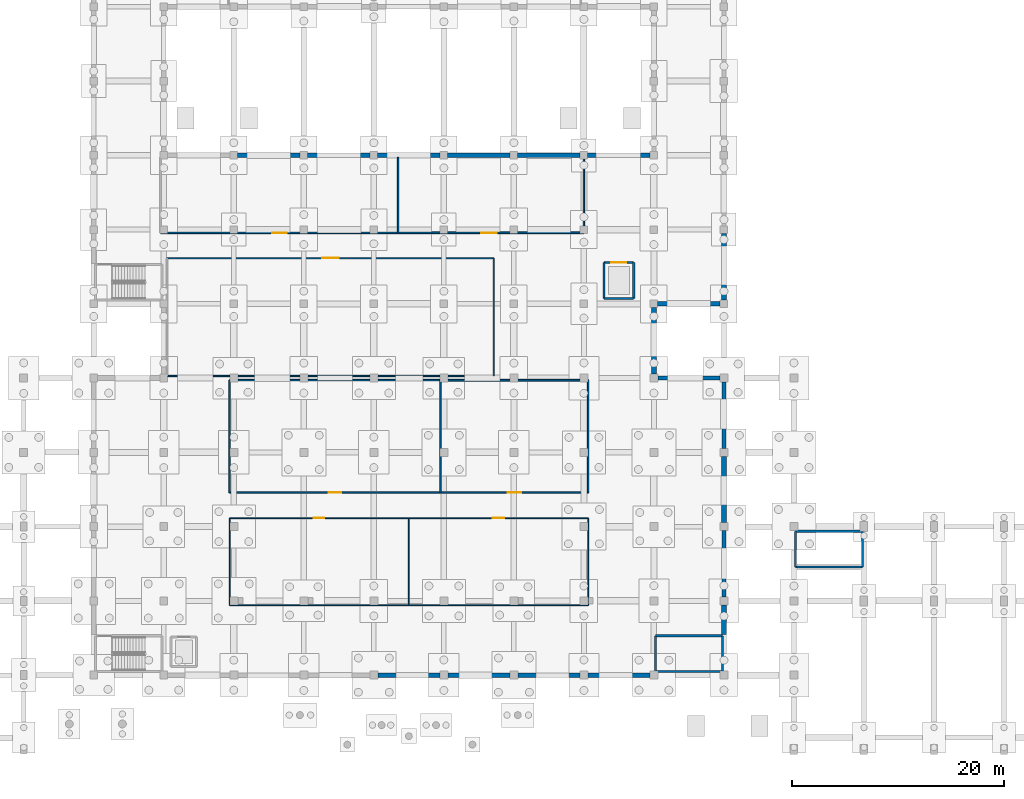
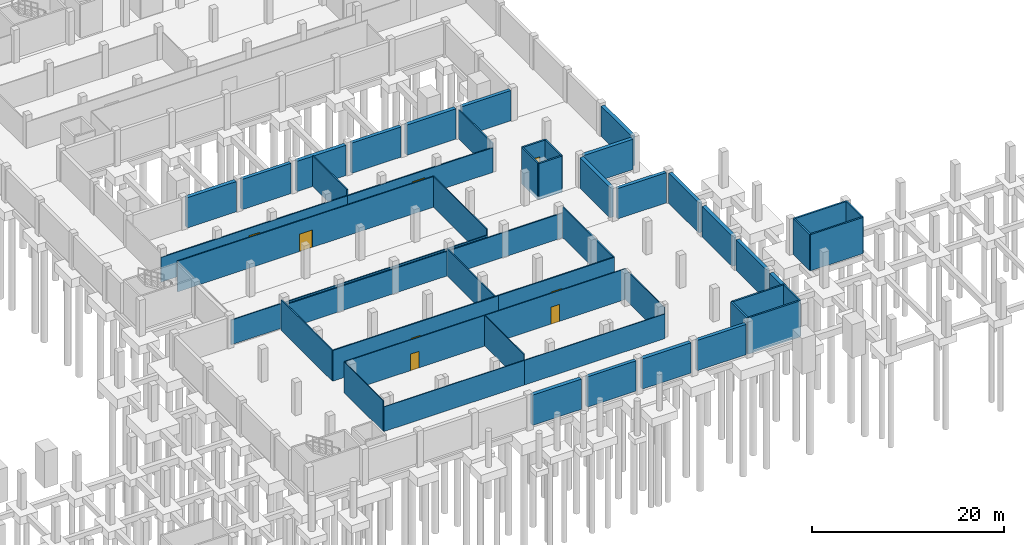
# One storey, part 17 of 27: 51 walls, 8 doors, 8 openings.
"""IFC4 building model written with IfcOpenShell, lengths in metres."""

from ifc_helpers import new_model, si_unit, direction, frame, frame_2d, origin, place, context, subcontext, project, spatial, rectangle, extrude, material, layer, layer_set, type_object, element, fill, save


model = new_model("IFC4")

# Units and contexts
model_context = context("Model", 3, precision=1e-05, world=origin(), true_north=direction((0.0, 1.0)))
body_context = subcontext(model_context, "Body", "Model", "MODEL_VIEW")
ifc_project = project(units=[si_unit("LENGTHUNIT", "METRE"), si_unit("AREAUNIT", "SQUARE_METRE"), si_unit("VOLUMEUNIT", "CUBIC_METRE"), si_unit("PLANEANGLEUNIT", "RADIAN"), si_unit("MASSUNIT", "GRAM", prefix="KILO")], contexts=[model_context])

# Site, building, storey
site_placement = place(None, origin())
site = spatial("IfcSite", under=ifc_project, at=site_placement, CompositionType="ELEMENT")
building_placement = place(site_placement, origin())
building = spatial("IfcBuilding", under=site, at=building_placement, Name="Ciguamira Faculty of Natural Sciences", CompositionType="ELEMENT")
storey_placement = place(building_placement, frame((0.0, 0.0, -4.199951171875)))
storey = spatial("IfcBuildingStorey", under=building, at=storey_placement, Name="B1", CompositionType="ELEMENT", Elevation=-4.199951171875)

# Walls
ifc_material_1 = material(Name="Concrete C40/50", Category="concrete")
ifc_layer_1 = layer(ifc_material_1, 0.449951171875, Name="Concrete C40/50")
ifc_layer_set_1 = layer_set([ifc_layer_1], Name="Concrete C40/50")
wall_type_1 = type_object("IfcWallType", Name="ExtWall_RW-01_450", PredefinedType="SHEAR", material=ifc_layer_set_1)
for number, where, z_axis, x_axis, name in (
    (1, (84.074951171875, 10.0, 0.0), (0.0, 0.0, 1.0), (1.0, 0.0, 0.0), "B1 exterior wall 0004"),
    (2, (97.27490234375, 10.0, 0.0), (0.0, 0.0, 1.0), (1.0, 0.0, 0.0), "B1 exterior wall 0006"),
):
    element("IfcWall", number, at=place(storey_placement, frame(where, z_axis=z_axis, x_axis=x_axis)), inside=storey, type_object=wall_type_1, Name=name, PredefinedType="SHEAR", context=body_context, shape_type="SweptSolid", body=[
        extrude(rectangle(XDim=5.85009765625, YDim=0.449951171875, at=frame_2d((2.925048828125, 0.0))), origin(), (0.0, 0.0, 1.0), 3.849853515625),
    ])
wall_1_placement = place(storey_placement, frame((110.449951171875, 45.0, 0.0), z_axis=(0.0, 0.0, 1.0), x_axis=(1.0, 0.0, 0.0)))
element("IfcWall", 3, at=wall_1_placement, inside=storey, type_object=wall_type_1, Name="B1 exterior wall 0010", PredefinedType="SHEAR", context=body_context, shape_type="SweptSolid", body=[
    extrude(rectangle(XDim=5.900146484375, YDim=0.449951171875, at=frame_2d((2.9501953125, 0.0))), origin(), (0.0, 0.0, 1.0), 3.849853515625),
])
for number, where, z_axis, x_axis, name in (
    (4, (70.85009765625, 59.0, 0.0), (0.0, 0.0, 1.0), (1.0, 0.0, 0.0), "B1 exterior wall 0012"),
    (5, (84.050048828125, 59.0, 0.0), (0.0, 0.0, 1.0), (1.0, 0.0, 0.0), "B1 exterior wall 0014"),
    (6, (97.25, 59.0, 0.0), (0.0, 0.0, 1.0), (1.0, 0.0, 0.0), "B1 exterior wall 0016"),
):
    element("IfcWall", number, at=place(storey_placement, frame(where, z_axis=z_axis, x_axis=x_axis)), inside=storey, type_object=wall_type_1, Name=name, PredefinedType="SHEAR", context=body_context, shape_type="SweptSolid", body=[
        extrude(rectangle(XDim=5.89990234375, YDim=0.449951171875, at=frame_2d((2.949951171875, 0.0))), origin(), (0.0, 0.0, 1.0), 3.849853515625),
    ])
wall_2_placement = place(storey_placement, frame((110.10009765625, 38.375, 0.0), z_axis=(0.0, 0.0, 1.0), x_axis=(0.0, 1.0, 0.0)))
element("IfcWall", 7, at=wall_2_placement, inside=storey, type_object=wall_type_1, Name="B1 exterior wall 0050", PredefinedType="SHEAR", context=body_context, shape_type="SweptSolid", body=[
    extrude(rectangle(XDim=6.27490234375, YDim=0.449951171875, at=frame_2d((3.137451171875, 0.0))), origin(), (0.0, 0.0, 1.0), 3.849853515625),
])
wall_3_placement = place(storey_placement, frame((116.699951171875, 13.81005859375, 0.0), z_axis=(0.0, 0.0, 1.0), x_axis=(0.0, 1.0, 0.0)))
element("IfcWall", 8, at=wall_3_placement, inside=storey, type_object=wall_type_1, Name="B1 exterior wall 0056", PredefinedType="SHEAR", context=body_context, shape_type="SweptSolid", body=[
    extrude(rectangle(XDim=2.81494140625, YDim=0.449951171875, at=frame_2d((1.407470703125, 0.0))), origin(), (0.0, 0.0, 1.0), 3.849853515625),
])
wall_4_placement = place(storey_placement, frame((116.699951171875, 24.375, 0.0), z_axis=(0.0, 0.0, 1.0), x_axis=(0.0, 1.0, 0.0)))
element("IfcWall", 9, at=wall_4_placement, inside=storey, type_object=wall_type_1, Name="B1 exterior wall 0058", PredefinedType="SHEAR", context=body_context, shape_type="SweptSolid", body=[
    extrude(rectangle(XDim=6.25, YDim=0.449951171875, at=frame_2d((3.125, 0.0))), origin(), (0.0, 0.0, 1.0), 3.849853515625),
])
wall_5_placement = place(storey_placement, frame((116.699951171875, 45.35009765625, 0.0), z_axis=(0.0, 0.0, 1.0), x_axis=(0.0, 1.0, 0.0)))
element("IfcWall", 10, at=wall_5_placement, inside=storey, type_object=wall_type_1, Name="B1 exterior wall 0060", PredefinedType="SHEAR", context=body_context, shape_type="SweptSolid", body=[
    extrude(rectangle(XDim=6.2998046875, YDim=0.449951171875, at=frame_2d((3.14990234375, 0.0))), origin(), (0.0, 0.0, 1.0), 3.849853515625),
])
ifc_layer_2 = layer(ifc_material_1, 0.39990234375, Name="Concrete C40/50")
ifc_layer_set_2 = layer_set([ifc_layer_2], Name="Concrete C40/50")
wall_type_2 = type_object("IfcWallType", Name="ExtWall_RW-02_400", PredefinedType="SHEAR", material=ifc_layer_set_2)
wall_6_placement = place(storey_placement, frame((90.675048828125, 10.0, 0.0), z_axis=(0.0, 0.0, 1.0), x_axis=(1.0, 0.0, 0.0)))
element("IfcWall", 11, at=wall_6_placement, inside=storey, type_object=wall_type_2, Name="B1 exterior wall 0005", PredefinedType="SHEAR", context=body_context, shape_type="SweptSolid", body=[
    extrude(rectangle(XDim=5.849853515625, YDim=0.39990234375, at=frame_2d((2.9248046875, 0.0))), origin(), (0.0, 0.0, 1.0), 3.849853515625),
])
wall_7_placement = place(storey_placement, frame((103.875, 10.0, 0.0), z_axis=(0.0, 0.0, 1.0), x_axis=(1.0, 0.0, 0.0)))
element("IfcWall", 12, at=wall_7_placement, inside=storey, type_object=wall_type_2, Name="B1 exterior wall 0007", PredefinedType="SHEAR", context=body_context, shape_type="SweptSolid", body=[
    extrude(rectangle(XDim=5.85009765625, YDim=0.39990234375, at=frame_2d((2.925048828125, 0.0))), origin(), (0.0, 0.0, 1.0), 3.849853515625),
])
wall_8_placement = place(storey_placement, frame((110.47509765625, 38.0, 0.0), z_axis=(0.0, 0.0, 1.0), x_axis=(1.0, 0.0, 0.0)))
element("IfcWall", 13, at=wall_8_placement, inside=storey, type_object=wall_type_2, Name="B1 exterior wall 0009", PredefinedType="SHEAR", context=body_context, shape_type="SweptSolid", body=[
    extrude(rectangle(XDim=5.849853515625, YDim=0.39990234375, at=frame_2d((2.9248046875, 0.0))), origin(), (0.0, 0.0, 1.0), 3.849853515625),
])
for number, where, z_axis, x_axis, name in (
    (14, (77.449951171875, 59.0, 0.0), (0.0, 0.0, 1.0), (1.0, 0.0, 0.0), "B1 exterior wall 0013"),
    (15, (90.64990234375, 59.0, 0.0), (0.0, 0.0, 1.0), (1.0, 0.0, 0.0), "B1 exterior wall 0015"),
):
    element("IfcWall", number, at=place(storey_placement, frame(where, z_axis=z_axis, x_axis=x_axis)), inside=storey, type_object=wall_type_2, Name=name, PredefinedType="SHEAR", context=body_context, shape_type="SweptSolid", body=[
        extrude(rectangle(XDim=5.900146484375, YDim=0.39990234375, at=frame_2d((2.9501953125, 0.0))), origin(), (0.0, 0.0, 1.0), 3.849853515625),
    ])
wall_9_placement = place(storey_placement, frame((103.85009765625, 59.0, 0.0), z_axis=(0.0, 0.0, 1.0), x_axis=(1.0, 0.0, 0.0)))
element("IfcWall", 16, at=wall_9_placement, inside=storey, type_object=wall_type_2, Name="B1 exterior wall 0017", PredefinedType="SHEAR", context=body_context, shape_type="SweptSolid", body=[
    extrude(rectangle(XDim=5.89990234375, YDim=0.39990234375, at=frame_2d((2.949951171875, 0.0))), origin(), (0.0, 0.0, 1.0), 3.849853515625),
])
for number, where, z_axis, x_axis, name in (
    (17, (116.699951171875, 17.375, 0.0), (0.0, 0.0, 1.0), (0.0, 1.0, 0.0), "B1 exterior wall 0057"),
    (18, (116.699951171875, 31.375, 0.0), (0.0, 0.0, 1.0), (0.0, 1.0, 0.0), "B1 exterior wall 0059"),
):
    element("IfcWall", number, at=place(storey_placement, frame(where, z_axis=z_axis, x_axis=x_axis)), inside=storey, type_object=wall_type_2, Name=name, PredefinedType="SHEAR", context=body_context, shape_type="SweptSolid", body=[
        extrude(rectangle(XDim=6.25, YDim=0.39990234375, at=frame_2d((3.125, 0.0))), origin(), (0.0, 0.0, 1.0), 3.849853515625),
    ])
ifc_layer_3 = layer(ifc_material_1, 0.199951171875, Name="Concrete C40/50")
ifc_layer_set_3 = layer_set([ifc_layer_3], Name="Concrete C40/50")
wall_type_3 = type_object("IfcWallType", Name="IntWall_CW-S20_200", PredefinedType="SHEAR", material=ifc_layer_set_3)
for number, where, z_axis, x_axis, name in (
    (19, (110.25, 10.35009765625, -0.400146484375), (0.0, 0.0, 1.0), (1.0, 0.0, 0.0), "B1 ST-A2 core shear wall south"),
    (20, (110.25, 13.7099609375, -0.400146484375), (0.0, 0.0, 1.0), (1.0, 0.0, 0.0), "B1 ST-A2 core shear wall north"),
):
    element("IfcWall", number, at=place(storey_placement, frame(where, z_axis=z_axis, x_axis=x_axis)), inside=storey, type_object=wall_type_3, Name=name, PredefinedType="SHEAR", context=body_context, shape_type="SweptSolid", body=[
        extrude(rectangle(XDim=6.300048828125, YDim=0.199951171875, at=frame_2d((3.14990234375, 0.0))), origin(), (0.0, 0.0, 1.0), 4.60009765625),
    ])
for number, where, z_axis, x_axis, name in (
    (21, (110.25, 10.35009765625, -0.400146484375), (0.0, 0.0, 1.0), (0.0, 1.0, 0.0), "B1 ST-A2 core shear wall west"),
    (22, (116.550048828125, 10.35009765625, -0.400146484375), (0.0, 0.0, 1.0), (0.0, 1.0, 0.0), "B1 ST-A2 core shear wall east"),
):
    element("IfcWall", number, at=place(storey_placement, frame(where, z_axis=z_axis, x_axis=x_axis)), inside=storey, type_object=wall_type_3, Name=name, PredefinedType="SHEAR", context=body_context, shape_type="SweptSolid", body=[
        extrude(rectangle(XDim=3.35986328125, YDim=0.199951171875, at=frame_2d((1.679931640625, 0.0))), origin(), (0.0, 0.0, 1.0), 4.60009765625),
    ])
for number, where, z_axis, x_axis, name in (
    (23, (123.449951171875, 20.199951171875, -0.400146484375), (0.0, 0.0, 1.0), (1.0, 0.0, 0.0), "B1 ST-L1 core shear wall south"),
    (24, (123.449951171875, 23.56005859375, -0.400146484375), (0.0, 0.0, 1.0), (1.0, 0.0, 0.0), "B1 ST-L1 core shear wall north"),
):
    element("IfcWall", number, at=place(storey_placement, frame(where, z_axis=z_axis, x_axis=x_axis)), inside=storey, type_object=wall_type_3, Name=name, PredefinedType="SHEAR", context=body_context, shape_type="SweptSolid", body=[
        extrude(rectangle(XDim=6.300048828125, YDim=0.199951171875, at=frame_2d((3.14990234375, 0.0))), origin(), (0.0, 0.0, 1.0), 4.60009765625),
    ])
for number, where, z_axis, x_axis, name in (
    (25, (123.449951171875, 20.199951171875, -0.400146484375), (0.0, 0.0, 1.0), (0.0, 1.0, 0.0), "B1 ST-L1 core shear wall west"),
    (26, (129.75, 20.199951171875, -0.400146484375), (0.0, 0.0, 1.0), (0.0, 1.0, 0.0), "B1 ST-L1 core shear wall east"),
):
    element("IfcWall", number, at=place(storey_placement, frame(where, z_axis=z_axis, x_axis=x_axis)), inside=storey, type_object=wall_type_3, Name=name, PredefinedType="SHEAR", context=body_context, shape_type="SweptSolid", body=[
        extrude(rectangle(XDim=3.360107421875, YDim=0.199951171875, at=frame_2d((1.68017578125, 0.0))), origin(), (0.0, 0.0, 1.0), 4.60009765625),
    ])
wall_10_placement = place(storey_placement, frame((105.39990234375, 45.5, -0.400146484375), z_axis=(0.0, 0.0, 1.0), x_axis=(1.0, 0.0, 0.0)))
element("IfcWall", 27, at=wall_10_placement, inside=storey, type_object=wall_type_3, Name="B1 EL-G1 hoistway wall south", PredefinedType="SHEAR", context=body_context, shape_type="SweptSolid", body=[
    extrude(rectangle(XDim=2.800048828125, YDim=0.199951171875, at=frame_2d((1.39990234375, 0.0))), origin(), (0.0, 0.0, 1.0), 4.60009765625),
])

# Wall, opening, door
wall_11_placement = place(storey_placement, frame((105.39990234375, 48.89990234375, -0.400146484375), z_axis=(0.0, 0.0, 1.0), x_axis=(1.0, 0.0, 0.0)))
wall_11 = element("IfcWall", 28, at=wall_11_placement, inside=storey, type_object=wall_type_3, Name="B1 EL-G1 hoistway wall north", PredefinedType="SHEAR", context=body_context, shape_type="SweptSolid", body=[
    extrude(rectangle(XDim=2.800048828125, YDim=0.199951171875, at=frame_2d((1.39990234375, 0.0))), origin(), (0.0, 0.0, 1.0), 4.60009765625),
])
opening_1_placement = place(wall_11_placement, frame((0.699951171875, 0.0, 0.39990234375)))
opening_1 = element("IfcOpeningElement", 29, at=opening_1_placement, cuts=wall_11, Name="Opening LD-04", PredefinedType="OPENING", context=body_context, shape_type="SweptSolid", body=[
    extrude(rectangle(XDim=1.39990234375, YDim=2.300048828125, at=frame_2d((0.699951171875, 1.14990234375))), frame((0.0, 0.10986328125, 0.0), z_axis=(0.0, -1.0, 0.0), x_axis=(1.0, 0.0, 0.0)), (0.0, 0.0, 1.0), 0.219970703125),
])
ifc_material_2 = material(Name="Specimen service lift sliding landing door")
door_type_1 = type_object("IfcDoorType", Name="LiftLandingDoor_LD-04_1400x2300", OperationType="SLIDING_TO_LEFT", PredefinedType="DOOR", material=ifc_material_2)
door_1_placement = place(opening_1_placement, origin())
door_1 = element("IfcDoor", 30, at=door_1_placement, inside=storey, type_object=door_type_1, Name="B1 EL-G1 elevator landing sliding door", OperationType="SLIDING_TO_LEFT", OverallHeight=2.300048828125, OverallWidth=1.39990234375, PredefinedType="DOOR", context=body_context, shape_type="SweptSolid", body=[
    extrude(rectangle(XDim=1.39990234375, YDim=2.300048828125, at=frame_2d((0.699951171875, 1.14990234375))), frame((0.0, 0.02490234375, 0.0), z_axis=(0.0, -1.0, 0.0), x_axis=(1.0, 0.0, 0.0)), (0.0, 0.0, 1.0), 0.050048828125),
])
fill(opening_1, door_1)

# Walls
for number, where, z_axis, x_axis, name in (
    (31, (105.39990234375, 45.5, -0.400146484375), (0.0, 0.0, 1.0), (0.0, 1.0, 0.0), "B1 EL-G1 hoistway wall west"),
    (32, (108.199951171875, 45.5, -0.400146484375), (0.0, 0.0, 1.0), (0.0, 1.0, 0.0), "B1 EL-G1 hoistway wall east"),
):
    element("IfcWall", number, at=place(storey_placement, frame(where, z_axis=z_axis, x_axis=x_axis)), inside=storey, type_object=wall_type_3, Name=name, PredefinedType="SHEAR", context=body_context, shape_type="SweptSolid", body=[
        extrude(rectangle(XDim=3.39990234375, YDim=0.199951171875, at=frame_2d((1.699951171875, 0.0))), origin(), (0.0, 0.0, 1.0), 4.60009765625),
    ])
ifc_material_3 = material(Name="Fire-rated gypsum partition")
ifc_layer_4 = layer(ifc_material_3, 0.10009765625, Name="Fire-rated gypsum partition")
ifc_layer_set_4 = layer_set([ifc_layer_4], Name="Fire-rated gypsum partition")
wall_type_4 = type_object("IfcWallType", Name="IntWall_IW-A10_100", PredefinedType="PARTITIONING", material=ifc_layer_set_4)
wall_12_placement = place(storey_placement, frame((70.10009765625, 16.60009765625, 0.0), z_axis=(0.0, 0.0, 1.0), x_axis=(1.0, 0.0, 0.0)))
element("IfcWall", 33, at=wall_12_placement, inside=storey, type_object=wall_type_4, Name="B1 Paleontology Specimen Archive partition south", PredefinedType="PARTITIONING", context=body_context, shape_type="SweptSolid", body=[
    extrude(rectangle(XDim=16.89990234375, YDim=0.10009765625, at=frame_2d((8.449951171875, 0.0))), origin(), (0.0, 0.0, 1.0), 3.135009765625),
])

# Wall, opening, door
wall_13_placement = place(storey_placement, frame((70.10009765625, 24.800048828125, 0.0), z_axis=(0.0, 0.0, 1.0), x_axis=(1.0, 0.0, 0.0)))
wall_13 = element("IfcWall", 34, at=wall_13_placement, inside=storey, type_object=wall_type_4, Name="B1 Paleontology Specimen Archive partition north", PredefinedType="PARTITIONING", context=body_context, shape_type="SweptSolid", body=[
    extrude(rectangle(XDim=16.89990234375, YDim=0.10009765625, at=frame_2d((8.449951171875, 0.0))), origin(), (0.0, 0.0, 1.0), 3.89990234375),
])
opening_2_placement = place(wall_13_placement, frame((7.949951171875, 0.0, 0.0)))
opening_2 = element("IfcOpeningElement", 35, at=opening_2_placement, cuts=wall_13, Name="Opening ID-03", PredefinedType="OPENING", context=body_context, shape_type="SweptSolid", body=[
    extrude(rectangle(XDim=1.0, YDim=2.10009765625, at=frame_2d((0.5, 1.050048828125))), frame((0.0, 0.06005859375, 0.0), z_axis=(0.0, -1.0, 0.0), x_axis=(1.0, 0.0, 0.0)), (0.0, 0.0, 1.0), 0.1201171875),
])
ifc_material_4 = material(Name="Restroom lobby fire door")
door_type_2 = type_object("IfcDoorType", Name="IntDoor_ID-03_1000x2100", OperationType="NOTDEFINED", PredefinedType="DOOR", material=ifc_material_4)
door_2_placement = place(opening_2_placement, frame((1.0, 0.0, 0.0), z_axis=(0.0, 0.0, 1.0), x_axis=(-1.0, 0.0, 0.0)))
door_2 = element("IfcDoor", 36, at=door_2_placement, inside=storey, type_object=door_type_2, Name="B1 Paleontology Specimen Archive door", OperationType="SINGLE_SWING_LEFT", OverallHeight=2.10009765625, OverallWidth=1.0, PredefinedType="DOOR", context=body_context, shape_type="SweptSolid", body=[
    extrude(rectangle(XDim=1.0, YDim=2.10009765625, at=frame_2d((0.5, 1.050048828125))), frame((0.0, 0.02490234375, 0.0), z_axis=(0.0, -1.0, 0.0), x_axis=(1.0, 0.0, 0.0)), (0.0, 0.0, 1.0), 0.050048828125),
])
fill(opening_2, door_2)

# Walls
for number, where, z_axis, x_axis, name in (
    (37, (70.10009765625, 16.60009765625, 0.0), (0.0, 0.0, 1.0), (0.0, 1.0, 0.0), "B1 Paleontology Specimen Archive partition west"),
    (38, (87.0, 16.60009765625, 0.0), (0.0, 0.0, 1.0), (0.0, 1.0, 0.0), "B1 Paleontology Specimen Archive partition east"),
):
    element("IfcWall", number, at=place(storey_placement, frame(where, z_axis=z_axis, x_axis=x_axis)), inside=storey, type_object=wall_type_4, Name=name, PredefinedType="PARTITIONING", context=body_context, shape_type="SweptSolid", body=[
        extrude(rectangle(XDim=8.199951171875, YDim=0.10009765625, at=frame_2d((4.10009765625, 0.0))), origin(), (0.0, 0.0, 1.0), 3.89990234375),
    ])
wall_14_placement = place(storey_placement, frame((87.0, 16.60009765625, 0.0), z_axis=(0.0, 0.0, 1.0), x_axis=(1.0, 0.0, 0.0)))
element("IfcWall", 39, at=wall_14_placement, inside=storey, type_object=wall_type_4, Name="B1 Mineralogy Rock Core Vault partition south", PredefinedType="PARTITIONING", context=body_context, shape_type="SweptSolid", body=[
    extrude(rectangle(XDim=16.89990234375, YDim=0.10009765625, at=frame_2d((8.449951171875, 0.0))), origin(), (0.0, 0.0, 1.0), 3.135009765625),
])

# Wall, opening, door
wall_15_placement = place(storey_placement, frame((87.0, 24.800048828125, 0.0), z_axis=(0.0, 0.0, 1.0), x_axis=(1.0, 0.0, 0.0)))
wall_15 = element("IfcWall", 40, at=wall_15_placement, inside=storey, type_object=wall_type_4, Name="B1 Mineralogy Rock Core Vault partition north", PredefinedType="PARTITIONING", context=body_context, shape_type="SweptSolid", body=[
    extrude(rectangle(XDim=16.89990234375, YDim=0.10009765625, at=frame_2d((8.449951171875, 0.0))), origin(), (0.0, 0.0, 1.0), 3.89990234375),
])
opening_3_placement = place(wall_15_placement, frame((7.925048828125, 0.0, 0.0)))
opening_3 = element("IfcOpeningElement", 41, at=opening_3_placement, cuts=wall_15, Name="Opening ID-04", PredefinedType="OPENING", context=body_context, shape_type="SweptSolid", body=[
    extrude(rectangle(XDim=1.050048828125, YDim=2.14990234375, at=frame_2d((0.52490234375, 1.074951171875))), frame((0.0, 0.06005859375, 0.0), z_axis=(0.0, -1.0, 0.0), x_axis=(1.0, 0.0, 0.0)), (0.0, 0.0, 1.0), 0.1201171875),
])
ifc_material_5 = material(Name="Seminar acoustic single door")
door_type_3 = type_object("IfcDoorType", Name="IntDoor_ID-04_1050x2150", OperationType="NOTDEFINED", PredefinedType="DOOR", material=ifc_material_5)
door_3_placement = place(opening_3_placement, frame((1.050048828125, 0.0, 0.0), z_axis=(0.0, 0.0, 1.0), x_axis=(-1.0, 0.0, 0.0)))
door_3 = element("IfcDoor", 42, at=door_3_placement, inside=storey, type_object=door_type_3, Name="B1 Mineralogy Rock Core Vault door", OperationType="SINGLE_SWING_RIGHT", OverallHeight=2.14990234375, OverallWidth=1.050048828125, PredefinedType="DOOR", context=body_context, shape_type="SweptSolid", body=[
    extrude(rectangle(XDim=1.050048828125, YDim=2.14990234375, at=frame_2d((0.52490234375, 1.074951171875))), frame((0.0, 0.02490234375, 0.0), z_axis=(0.0, -1.0, 0.0), x_axis=(1.0, 0.0, 0.0)), (0.0, 0.0, 1.0), 0.050048828125),
])
fill(opening_3, door_3)

# Walls
wall_16_placement = place(storey_placement, frame((103.89990234375, 16.60009765625, 0.0), z_axis=(0.0, 0.0, 1.0), x_axis=(0.0, 1.0, 0.0)))
element("IfcWall", 43, at=wall_16_placement, inside=storey, type_object=wall_type_4, Name="B1 Mineralogy Rock Core Vault partition east", PredefinedType="PARTITIONING", context=body_context, shape_type="SweptSolid", body=[
    extrude(rectangle(XDim=8.199951171875, YDim=0.10009765625, at=frame_2d((4.10009765625, 0.0))), origin(), (0.0, 0.0, 1.0), 3.89990234375),
])
ifc_material_6 = material(Name="Acoustic double-stud gypsum partition")
ifc_layer_5 = layer(ifc_material_6, 0.1201171875, Name="Acoustic double-stud gypsum partition")
ifc_layer_set_5 = layer_set([ifc_layer_5], Name="Acoustic double-stud gypsum partition")
wall_type_5 = type_object("IfcWallType", Name="IntWall_IW-A12_120", PredefinedType="PARTITIONING", material=ifc_layer_set_5)
wall_17_placement = place(storey_placement, frame((64.199951171875, 38.199951171875, 0.0), z_axis=(0.0, 0.0, 1.0), x_axis=(1.0, 0.0, 0.0)))
element("IfcWall", 44, at=wall_17_placement, inside=storey, type_object=wall_type_5, Name="B1 B1 South Lab Seminar Room partition south", PredefinedType="PARTITIONING", context=body_context, shape_type="SweptSolid", body=[
    extrude(rectangle(XDim=30.800048828125, YDim=0.1201171875, at=frame_2d((15.39990234375, 0.0))), origin(), (0.0, 0.0, 1.0), 3.135009765625),
])

# Wall, opening, door
wall_18_placement = place(storey_placement, frame((64.199951171875, 49.300048828125, 0.0), z_axis=(0.0, 0.0, 1.0), x_axis=(1.0, 0.0, 0.0)))
wall_18 = element("IfcWall", 45, at=wall_18_placement, inside=storey, type_object=wall_type_5, Name="B1 B1 South Lab Seminar Room partition north", PredefinedType="PARTITIONING", context=body_context, shape_type="SweptSolid", body=[
    extrude(rectangle(XDim=30.800048828125, YDim=0.1201171875, at=frame_2d((15.39990234375, 0.0))), origin(), (0.0, 0.0, 1.0), 3.89990234375),
])
opening_4_placement = place(wall_18_placement, frame((14.625, 0.0, 0.0)))
opening_4 = element("IfcOpeningElement", 46, at=opening_4_placement, cuts=wall_18, Name="Opening ID-09", PredefinedType="OPENING", context=body_context, shape_type="SweptSolid", body=[
    extrude(rectangle(XDim=1.550048828125, YDim=2.199951171875, at=frame_2d((0.77490234375, 1.10009765625))), frame((0.0, 0.070068359375, 0.0), z_axis=(0.0, -1.0, 0.0), x_axis=(1.0, 0.0, 0.0)), (0.0, 0.0, 1.0), 0.14013671875),
])
ifc_material_7 = material(Name="Teaching laboratory double door")
door_type_4 = type_object("IfcDoorType", Name="IntDoor_ID-09_1550x2200", OperationType="NOTDEFINED", PredefinedType="DOOR", material=ifc_material_7)
door_4_placement = place(opening_4_placement, frame((1.550048828125, 0.0, 0.0), z_axis=(0.0, 0.0, 1.0), x_axis=(-1.0, 0.0, 0.0)))
door_4 = element("IfcDoor", 47, at=door_4_placement, inside=storey, type_object=door_type_4, Name="B1 B1 South Lab Seminar Room door", OperationType="SINGLE_SWING_LEFT", OverallHeight=2.199951171875, OverallWidth=1.550048828125, PredefinedType="DOOR", context=body_context, shape_type="SweptSolid", body=[
    extrude(rectangle(XDim=1.550048828125, YDim=2.199951171875, at=frame_2d((0.77490234375, 1.10009765625))), frame((0.0, 0.02490234375, 0.0), z_axis=(0.0, -1.0, 0.0), x_axis=(1.0, 0.0, 0.0)), (0.0, 0.0, 1.0), 0.050048828125),
])
fill(opening_4, door_4)

# Wall
wall_19_placement = place(storey_placement, frame((95.0, 38.199951171875, 0.0), z_axis=(0.0, 0.0, 1.0), x_axis=(0.0, 1.0, 0.0)))
element("IfcWall", 48, at=wall_19_placement, inside=storey, type_object=wall_type_5, Name="B1 B1 South Lab Seminar Room partition east", PredefinedType="PARTITIONING", context=body_context, shape_type="SweptSolid", body=[
    extrude(rectangle(XDim=11.10009765625, YDim=0.1201171875, at=frame_2d((5.550048828125, 0.0))), origin(), (0.0, 0.0, 1.0), 3.89990234375),
])

# Wall, opening, door
ifc_material_8 = material(Name="Acoustic laboratory corridor partition")
ifc_layer_6 = layer(ifc_material_8, 0.14990234375, Name="Acoustic laboratory corridor partition")
ifc_layer_set_6 = layer_set([ifc_layer_6], Name="Acoustic laboratory corridor partition")
wall_type_6 = type_object("IfcWallType", Name="IntWall_IW-G15_150", PredefinedType="PARTITIONING", material=ifc_layer_set_6)
wall_20_placement = place(storey_placement, frame((90.0, 27.199951171875, 0.0), z_axis=(0.0, 0.0, 1.0), x_axis=(1.0, 0.0, 0.0)))
wall_20 = element("IfcWall", 49, at=wall_20_placement, inside=storey, type_object=wall_type_6, Name="B1 Laboratory Gas and Vacuum Plant partition south", PredefinedType="PARTITIONING", context=body_context, shape_type="SweptSolid", body=[
    extrude(rectangle(XDim=13.89990234375, YDim=0.14990234375, at=frame_2d((6.949951171875, 0.0))), origin(), (0.0, 0.0, 1.0), 3.89990234375),
])
opening_5_placement = place(wall_20_placement, frame((6.324951171875, 0.0, 0.0)))
opening_5 = element("IfcOpeningElement", 50, at=opening_5_placement, cuts=wall_20, Name="Opening ID-06", PredefinedType="OPENING", context=body_context, shape_type="SweptSolid", body=[
    extrude(rectangle(XDim=1.25, YDim=2.14990234375, at=frame_2d((0.625, 1.074951171875))), frame((0.0, 0.0849609375, 0.0), z_axis=(0.0, -1.0, 0.0), x_axis=(1.0, 0.0, 0.0)), (0.0, 0.0, 1.0), 0.169921875),
])
ifc_material_9 = material(Name="Instrument room leaf-and-half door")
door_type_5 = type_object("IfcDoorType", Name="IntDoor_ID-06_1250x2150", OperationType="NOTDEFINED", PredefinedType="DOOR", material=ifc_material_9)
door_5_placement = place(opening_5_placement, origin())
door_5 = element("IfcDoor", 51, at=door_5_placement, inside=storey, type_object=door_type_5, Name="B1 Laboratory Gas and Vacuum Plant door", OperationType="SINGLE_SWING_RIGHT", OverallHeight=2.14990234375, OverallWidth=1.25, PredefinedType="DOOR", context=body_context, shape_type="SweptSolid", body=[
    extrude(rectangle(XDim=1.25, YDim=2.14990234375, at=frame_2d((0.625, 1.074951171875))), frame((0.0, 0.02490234375, 0.0), z_axis=(0.0, -1.0, 0.0), x_axis=(1.0, 0.0, 0.0)), (0.0, 0.0, 1.0), 0.050048828125),
])
fill(opening_5, door_5)

# Walls
wall_21_placement = place(storey_placement, frame((90.0, 37.800048828125, 0.0), z_axis=(0.0, 0.0, 1.0), x_axis=(1.0, 0.0, 0.0)))
element("IfcWall", 52, at=wall_21_placement, inside=storey, type_object=wall_type_6, Name="B1 Laboratory Gas and Vacuum Plant partition north", PredefinedType="PARTITIONING", context=body_context, shape_type="SweptSolid", body=[
    extrude(rectangle(XDim=13.89990234375, YDim=0.14990234375, at=frame_2d((6.949951171875, 0.0))), origin(), (0.0, 0.0, 1.0), 3.135009765625),
])
wall_22_placement = place(storey_placement, frame((103.89990234375, 27.199951171875, 0.0), z_axis=(0.0, 0.0, 1.0), x_axis=(0.0, 1.0, 0.0)))
element("IfcWall", 53, at=wall_22_placement, inside=storey, type_object=wall_type_6, Name="B1 Laboratory Gas and Vacuum Plant partition east", PredefinedType="PARTITIONING", context=body_context, shape_type="SweptSolid", body=[
    extrude(rectangle(XDim=10.60009765625, YDim=0.14990234375, at=frame_2d((5.300048828125, 0.0))), origin(), (0.0, 0.0, 1.0), 3.89990234375),
])

# Wall, opening, door
wall_23_placement = place(storey_placement, frame((86.0, 51.699951171875, 0.0), z_axis=(0.0, 0.0, 1.0), x_axis=(1.0, 0.0, 0.0)))
wall_23 = element("IfcWall", 54, at=wall_23_placement, inside=storey, type_object=wall_type_6, Name="B1 Rock Mechanics and Seismology Laboratory partition south", PredefinedType="PARTITIONING", context=body_context, shape_type="SweptSolid", body=[
    extrude(rectangle(XDim=17.5, YDim=0.14990234375, at=frame_2d((8.75, 0.0))), origin(), (0.0, 0.0, 1.0), 3.135009765625),
])
opening_6_placement = place(wall_23_placement, frame((7.824951171875, 0.0, 0.0)))
opening_6 = element("IfcOpeningElement", 55, at=opening_6_placement, cuts=wall_23, Name="Opening ID-08", PredefinedType="OPENING", context=body_context, shape_type="SweptSolid", body=[
    extrude(rectangle(XDim=1.449951171875, YDim=2.199951171875, at=frame_2d((0.72509765625, 1.10009765625))), frame((0.0, 0.0849609375, 0.0), z_axis=(0.0, -1.0, 0.0), x_axis=(1.0, 0.0, 0.0)), (0.0, 0.0, 1.0), 0.169921875),
])
ifc_material_10 = material(Name="Wet chemistry laboratory door")
door_type_6 = type_object("IfcDoorType", Name="IntDoor_ID-08_1450x2200", OperationType="NOTDEFINED", PredefinedType="DOOR", material=ifc_material_10)
door_6_placement = place(opening_6_placement, origin())
door_6 = element("IfcDoor", 56, at=door_6_placement, inside=storey, type_object=door_type_6, Name="B1 Rock Mechanics and Seismology Laboratory door", OperationType="SINGLE_SWING_RIGHT", OverallHeight=2.199951171875, OverallWidth=1.449951171875, PredefinedType="DOOR", context=body_context, shape_type="SweptSolid", body=[
    extrude(rectangle(XDim=1.449951171875, YDim=2.199951171875, at=frame_2d((0.72509765625, 1.10009765625))), frame((0.0, 0.02490234375, 0.0), z_axis=(0.0, -1.0, 0.0), x_axis=(1.0, 0.0, 0.0)), (0.0, 0.0, 1.0), 0.050048828125),
])
fill(opening_6, door_6)

# Wall
wall_24_placement = place(storey_placement, frame((103.5, 51.699951171875, 0.0), z_axis=(0.0, 0.0, 1.0), x_axis=(0.0, 1.0, 0.0)))
element("IfcWall", 57, at=wall_24_placement, inside=storey, type_object=wall_type_6, Name="B1 Rock Mechanics and Seismology Laboratory partition east", PredefinedType="PARTITIONING", context=body_context, shape_type="SweptSolid", body=[
    extrude(rectangle(XDim=7.10009765625, YDim=0.14990234375, at=frame_2d((3.550048828125, 0.0))), origin(), (0.0, 0.0, 1.0), 3.6650390625),
])

# Wall, opening, door
ifc_material_11 = material(Name="Moisture-resistant service chase wall")
ifc_layer_7 = layer(ifc_material_11, 0.139892578125, Name="Moisture-resistant service chase wall")
ifc_layer_set_7 = layer_set([ifc_layer_7], Name="Moisture-resistant service chase wall")
wall_type_7 = type_object("IfcWallType", Name="IntWall_IW-P14_140", PredefinedType="PLUMBINGWALL", material=ifc_layer_set_7)
wall_25_placement = place(storey_placement, frame((70.10009765625, 27.199951171875, 0.0), z_axis=(0.0, 0.0, 1.0), x_axis=(1.0, 0.0, 0.0)))
wall_25 = element("IfcWall", 58, at=wall_25_placement, inside=storey, type_object=wall_type_7, Name="B1 Central Chilled Water and MEP Plant partition south", PredefinedType="PLUMBINGWALL", context=body_context, shape_type="SweptSolid", body=[
    extrude(rectangle(XDim=19.89990234375, YDim=0.139892578125, at=frame_2d((9.949951171875, 0.0))), origin(), (0.0, 0.0, 1.0), 3.89990234375),
])
opening_7_placement = place(wall_25_placement, frame((9.375, 0.0, 0.0)))
opening_7 = element("IfcOpeningElement", 59, at=opening_7_placement, cuts=wall_25, Name="Opening ID-05", PredefinedType="OPENING", context=body_context, shape_type="SweptSolid", body=[
    extrude(rectangle(XDim=1.14990234375, YDim=2.14990234375, at=frame_2d((0.574951171875, 1.074951171875))), frame((0.0, 0.079833984375, 0.0), z_axis=(0.0, -1.0, 0.0), x_axis=(1.0, 0.0, 0.0)), (0.0, 0.0, 1.0), 0.159912109375),
])
ifc_material_12 = material(Name="Research office wide door")
door_type_7 = type_object("IfcDoorType", Name="IntDoor_ID-05_1150x2150", OperationType="NOTDEFINED", PredefinedType="DOOR", material=ifc_material_12)
door_7_placement = place(opening_7_placement, origin())
door_7 = element("IfcDoor", 60, at=door_7_placement, inside=storey, type_object=door_type_7, Name="B1 Central Chilled Water and MEP Plant door", OperationType="SINGLE_SWING_LEFT", OverallHeight=2.14990234375, OverallWidth=1.14990234375, PredefinedType="DOOR", context=body_context, shape_type="SweptSolid", body=[
    extrude(rectangle(XDim=1.14990234375, YDim=2.14990234375, at=frame_2d((0.574951171875, 1.074951171875))), frame((0.0, 0.02490234375, 0.0), z_axis=(0.0, -1.0, 0.0), x_axis=(1.0, 0.0, 0.0)), (0.0, 0.0, 1.0), 0.050048828125),
])
fill(opening_7, door_7)

# Walls
wall_26_placement = place(storey_placement, frame((70.10009765625, 37.800048828125, 0.0), z_axis=(0.0, 0.0, 1.0), x_axis=(1.0, 0.0, 0.0)))
element("IfcWall", 61, at=wall_26_placement, inside=storey, type_object=wall_type_7, Name="B1 Central Chilled Water and MEP Plant partition north", PredefinedType="PLUMBINGWALL", context=body_context, shape_type="SweptSolid", body=[
    extrude(rectangle(XDim=19.89990234375, YDim=0.139892578125, at=frame_2d((9.949951171875, 0.0))), origin(), (0.0, 0.0, 1.0), 3.135009765625),
])
wall_27_placement = place(storey_placement, frame((70.10009765625, 27.199951171875, 0.0), z_axis=(0.0, 0.0, 1.0), x_axis=(0.0, 1.0, 0.0)))
element("IfcWall", 62, at=wall_27_placement, inside=storey, type_object=wall_type_7, Name="B1 Central Chilled Water and MEP Plant partition west", PredefinedType="PLUMBINGWALL", context=body_context, shape_type="SweptSolid", body=[
    extrude(rectangle(XDim=10.60009765625, YDim=0.139892578125, at=frame_2d((5.300048828125, 0.0))), origin(), (0.0, 0.0, 1.0), 3.89990234375),
])
wall_28_placement = place(storey_placement, frame((90.0, 27.199951171875, 0.0), z_axis=(0.0, 0.0, 1.0), x_axis=(0.0, 1.0, 0.0)))
element("IfcWall", 63, at=wall_28_placement, inside=storey, type_object=wall_type_7, Name="B1 Central Chilled Water and MEP Plant partition east", PredefinedType="PLUMBINGWALL", context=body_context, shape_type="SweptSolid", body=[
    extrude(rectangle(XDim=10.60009765625, YDim=0.139892578125, at=frame_2d((5.300048828125, 0.0))), origin(), (0.0, 0.0, 1.0), 3.425048828125),
])

# Wall, opening, door
wall_29_placement = place(storey_placement, frame((63.60009765625, 51.699951171875, 0.0), z_axis=(0.0, 0.0, 1.0), x_axis=(1.0, 0.0, 0.0)))
wall_29 = element("IfcWall", 64, at=wall_29_placement, inside=storey, type_object=wall_type_7, Name="B1 Marine Hydraulics Wave Flume Laboratory partition south", PredefinedType="PLUMBINGWALL", context=body_context, shape_type="SweptSolid", body=[
    extrude(rectangle(XDim=22.39990234375, YDim=0.139892578125, at=frame_2d((11.199951171875, 0.0))), origin(), (0.0, 0.0, 1.0), 3.135009765625),
])
opening_8_placement = place(wall_29_placement, frame((10.52490234375, 0.0, 0.0)))
opening_8 = element("IfcOpeningElement", 65, at=opening_8_placement, cuts=wall_29, Name="Opening ID-07", PredefinedType="OPENING", context=body_context, shape_type="SweptSolid", body=[
    extrude(rectangle(XDim=1.35009765625, YDim=2.199951171875, at=frame_2d((0.675048828125, 1.10009765625))), frame((0.0, 0.079833984375, 0.0), z_axis=(0.0, -1.0, 0.0), x_axis=(1.0, 0.0, 0.0)), (0.0, 0.0, 1.0), 0.159912109375),
])
ifc_material_13 = material(Name="Laboratory prep fire door")
door_type_8 = type_object("IfcDoorType", Name="IntDoor_ID-07_1350x2200", OperationType="NOTDEFINED", PredefinedType="DOOR", material=ifc_material_13)
door_8_placement = place(opening_8_placement, origin())
door_8 = element("IfcDoor", 66, at=door_8_placement, inside=storey, type_object=door_type_8, Name="B1 Marine Hydraulics Wave Flume Laboratory door", OperationType="SINGLE_SWING_LEFT", OverallHeight=2.199951171875, OverallWidth=1.35009765625, PredefinedType="DOOR", context=body_context, shape_type="SweptSolid", body=[
    extrude(rectangle(XDim=1.35009765625, YDim=2.199951171875, at=frame_2d((0.675048828125, 1.10009765625))), frame((0.0, 0.02490234375, 0.0), z_axis=(0.0, -1.0, 0.0), x_axis=(1.0, 0.0, 0.0)), (0.0, 0.0, 1.0), 0.050048828125),
])
fill(opening_8, door_8)

# Wall
wall_30_placement = place(storey_placement, frame((86.0, 51.699951171875, 0.0), z_axis=(0.0, 0.0, 1.0), x_axis=(0.0, 1.0, 0.0)))
element("IfcWall", 67, at=wall_30_placement, inside=storey, type_object=wall_type_7, Name="B1 Marine Hydraulics Wave Flume Laboratory partition east", PredefinedType="PLUMBINGWALL", context=body_context, shape_type="SweptSolid", body=[
    extrude(rectangle(XDim=7.10009765625, YDim=0.139892578125, at=frame_2d((3.550048828125, 0.0))), origin(), (0.0, 0.0, 1.0), 3.89990234375),
])

save(model, "model.ifc")
